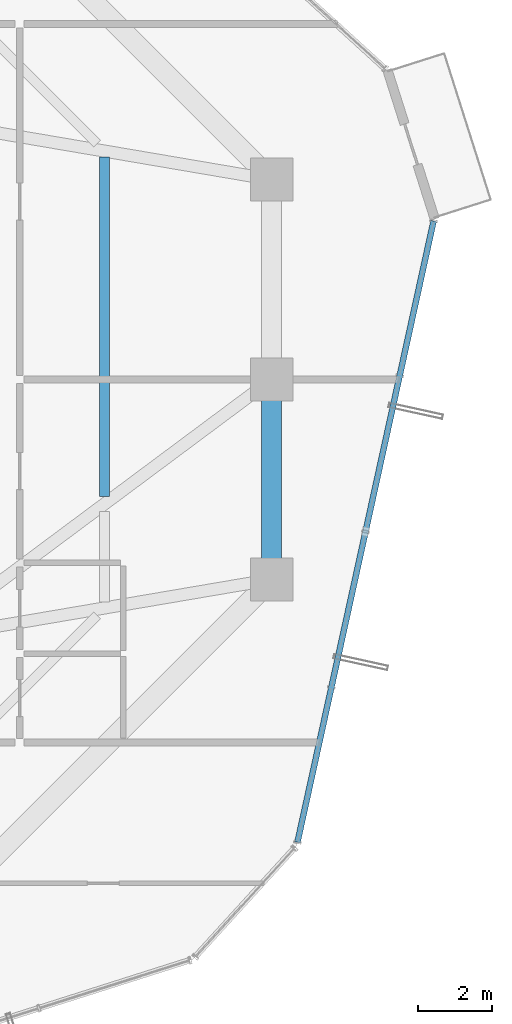
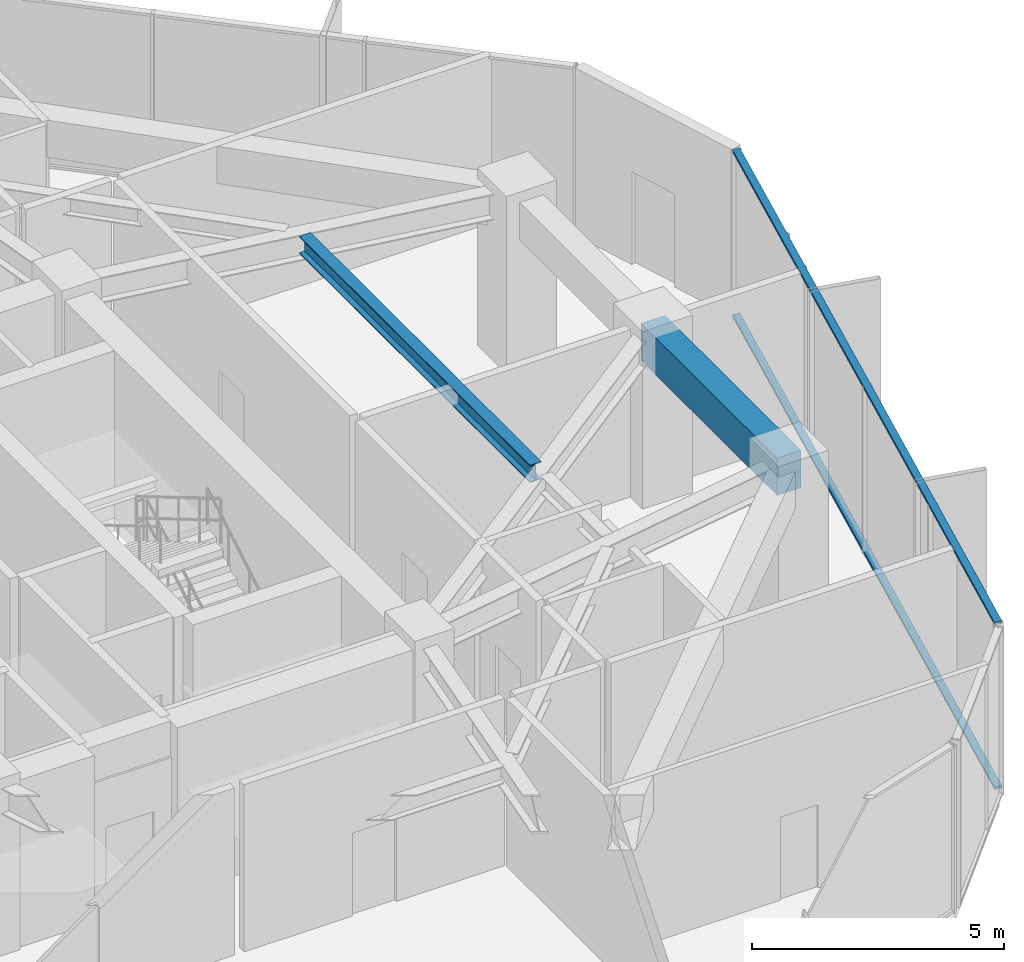
# One storey, part 15 of 28: 2 beams, 2 members, 1 element without a shape of its own.
"""IFC4 building model written with IfcOpenShell, lengths in metres."""

from ifc_helpers import new_model, si_unit, direction, frame, origin, origin_2d, place, context, subcontext, project, spatial, rectangle, hollow_rectangle, i_section, extrude, source, transform, mapped, material, layer, layer_set, material_profile, profile_set, type_object, element, aggregate, save


model = new_model("IFC4")

# Units and contexts
model_context = context("Model", 3, precision=1e-05, world=origin(), true_north=direction((0.0, 1.0)))
body_context = subcontext(model_context, "Body", "Model", "MODEL_VIEW")
ifc_project = project(units=[si_unit("LENGTHUNIT", "METRE"), si_unit("AREAUNIT", "SQUARE_METRE"), si_unit("VOLUMEUNIT", "CUBIC_METRE"), si_unit("PLANEANGLEUNIT", "RADIAN"), si_unit("MASSUNIT", "GRAM", prefix="KILO")], contexts=[model_context])

# Site, building, storey
site_placement = place(None, origin())
site = spatial("IfcSite", under=ifc_project, at=site_placement, CompositionType="ELEMENT")
building_placement = place(site_placement, origin())
building = spatial("IfcBuilding", under=site, at=building_placement, Name="Veraguas Prism Commons", CompositionType="ELEMENT")
storey_placement = place(building_placement, frame((0.0, 0.0, 85.14990234375)))
storey = spatial("IfcBuildingStorey", under=building, at=storey_placement, Name="L23", CompositionType="ELEMENT", Elevation=85.14990234375)

# Beams
ifc_material_1 = material(Name="Steel ASTM A992 Grade 50", Category="steel")
ifc_material_profile_1 = material_profile(ifc_material_1, i_section(OverallWidth=0.260986328125, OverallDepth=0.419921875, WebThickness=0.01171875, FlangeThickness=0.019287109375, at=origin_2d()), Name="W410X114")
ifc_profile_set_1 = profile_set([ifc_material_profile_1], Name="Steel ASTM A992 Grade 50")
beam_type_1 = type_object("IfcBeamType", Name="Lower Floor Joist W410x114", PredefinedType="JOIST", material=ifc_profile_set_1)
beam_1_placement = place(storey_placement, frame((35.68798828125, 20.842041015625, 3.840087890625), z_axis=(0.0, 1.0, 0.0), x_axis=(-1.0, 0.0, 0.0)))
element("IfcBeam", 1, at=beam_1_placement, inside=storey, type_object=beam_type_1, Name="Composite Floor Joist L23-JS02", PredefinedType="JOIST", context=body_context, shape_type="SweptSolid", body=[
    extrude(i_section(OverallWidth=0.260986328125, OverallDepth=0.419921875, WebThickness=0.01171875, FlangeThickness=0.019287109375, at=origin_2d()), origin(), (0.0, 0.0, 1.0), 9.16162109375),
])
ifc_material_2 = material(Name="Concrete C50/60", Category="concrete")
ifc_material_profile_2 = material_profile(ifc_material_2, rectangle(XDim=0.550048828125, YDim=0.89990234375, at=origin_2d()), Name="RC550X900")
ifc_profile_set_2 = profile_set([ifc_material_profile_2], Name="Concrete C50/60")
beam_type_2 = type_object("IfcBeamType", Name="Perimeter Spandrel Lower RC 550x900", PredefinedType="SPANDREL", material=ifc_profile_set_2)
beam_2_placement = place(storey_placement, frame((40.199951171875, 18.60009765625, 3.60009765625), z_axis=(0.0, 1.0, 0.0), x_axis=(-1.0, 0.0, 0.0)))
element("IfcBeam", 2, at=beam_2_placement, inside=storey, type_object=beam_type_2, Name="Perimeter Spandrel Beam L23-SP01", PredefinedType="SPANDREL", context=body_context, shape_type="SweptSolid", body=[
    extrude(rectangle(XDim=0.550048828125, YDim=0.89990234375, at=origin_2d()), origin(), (0.0, 0.0, 1.0), 5.39990234375),
])

# Curtain wall, members
ifc_material_3 = material(Name="Anodised aluminium EN AW-6063 T6", Category="aluminium")
ifc_layer = layer(ifc_material_3, 0.199951171875, Name="Sky Lobby and Pool Acoustic Curtain Wall", Category="aluminium")
ifc_layer_set = layer_set([ifc_layer], Name="Anodised aluminium EN AW-6063 T6")
curtain_wall_type = type_object("IfcCurtainWallType", Name="Sky Lobby and Pool Acoustic Curtain Wall", PredefinedType="NOTDEFINED", material=ifc_layer_set)
curtain_wall_placement = place(storey_placement, origin())
curtain_wall = element("IfcCurtainWall", 3, at=curtain_wall_placement, inside=storey, type_object=curtain_wall_type, Name="Tower Facade Curtain Wall L23-F6", PredefinedType="NOTDEFINED")
ifc_material_profile_3 = material_profile(ifc_material_3, hollow_rectangle(XDim=0.06005859375, YDim=0.159912109375, WallThickness=0.0029296875, at=origin_2d()), Name="AL60X160X3")
ifc_profile_set_3 = profile_set([ifc_material_profile_3], Name="Anodised aluminium EN AW-6063 T6")
member_type = type_object("IfcMemberType", Name="Curtain Wall Transom Heavy AL 60x160x3", PredefinedType="USERDEFINED", material=ifc_profile_set_3)
shared_shape = source(origin(), body_context, "Body", "SweptSolid", [
    extrude(hollow_rectangle(XDim=0.06005859375, YDim=0.159912109375, WallThickness=0.0029296875, at=origin_2d()), origin(), (0.0, 0.0, 1.0), 17.169189453125),
])
member_1_placement = place(storey_placement, frame((40.900146484375, 11.50830078125, 0.030029296875), z_axis=(0.214062837967, 0.976819891997, 0.0), x_axis=(0.0, 0.0, 1.0)))
member_1 = element("IfcMember", 4, at=member_1_placement, type_object=member_type, Name="CW-SKY Transom 1", ObjectType="TRANSOM", PredefinedType="USERDEFINED", context=body_context, shape_type="MappedRepresentation", body=[
    mapped(shared_shape, transform((0.0, 0.0, 0.0), scale=1.0)),
])
member_2_placement = place(storey_placement, frame((40.900146484375, 11.50830078125, 4.02001953125), z_axis=(0.214062837967, 0.976819891997, 0.0), x_axis=(0.0, 0.0, 1.0)))
member_2 = element("IfcMember", 5, at=member_2_placement, type_object=member_type, Name="CW-SKY Transom 2", ObjectType="TRANSOM", PredefinedType="USERDEFINED", context=body_context, shape_type="MappedRepresentation", body=[
    mapped(shared_shape, transform((0.0, 0.0, 0.0), scale=1.0)),
])
aggregate(curtain_wall, [member_1, member_2])

save(model, "model.ifc")
